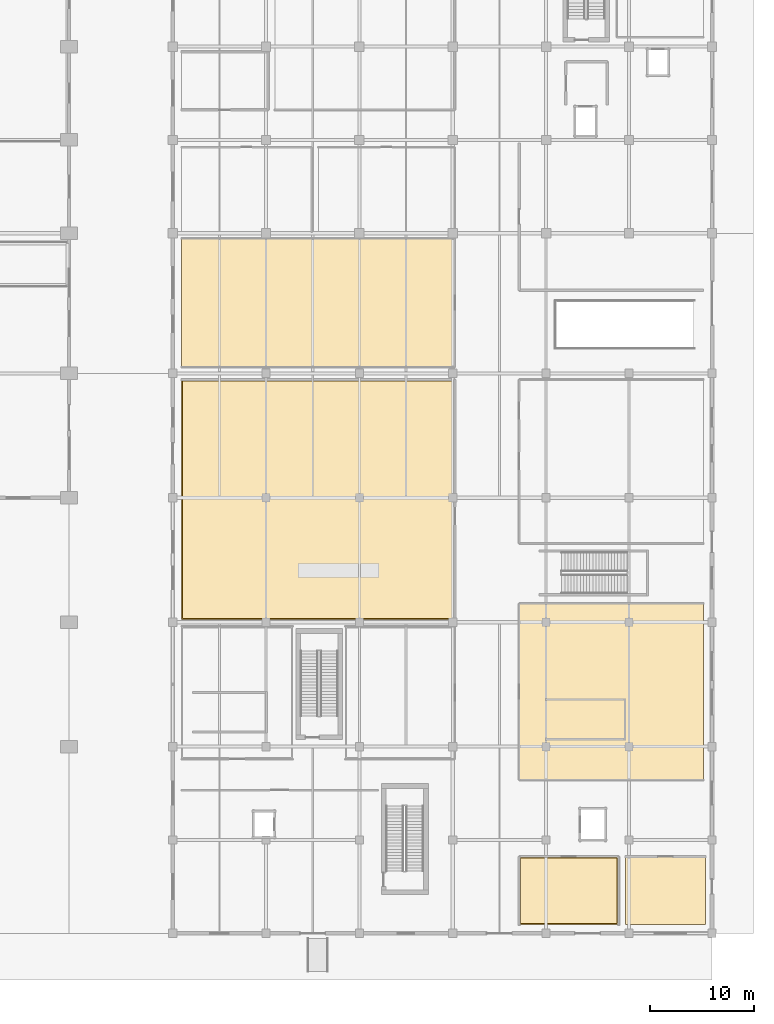
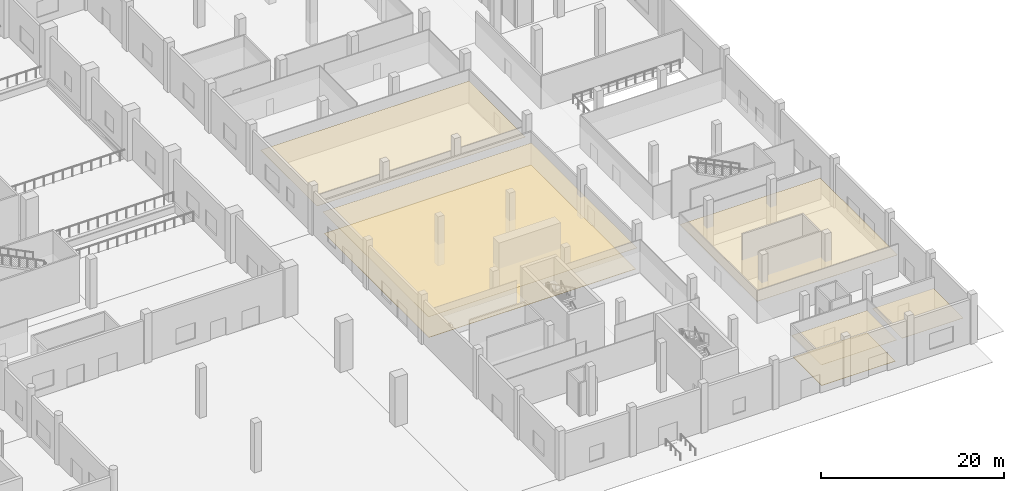
# One storey, part 58 of 65: 7 coverings.
"""IFC4 building model written with IfcOpenShell, lengths in metres."""

from ifc_helpers import new_model, si_unit, direction, frame, origin, place, context, subcontext, project, spatial, polyline, outline, extrude, material, layer, layer_set, type_object, element, save


model = new_model("IFC4")

# Units and contexts
model_context = context("Model", 3, precision=1e-05, world=origin(), true_north=direction((0.0, 1.0)))
body_context = subcontext(model_context, "Body", "Model", "MODEL_VIEW")
ifc_project = project(units=[si_unit("LENGTHUNIT", "METRE"), si_unit("AREAUNIT", "SQUARE_METRE"), si_unit("VOLUMEUNIT", "CUBIC_METRE"), si_unit("PLANEANGLEUNIT", "RADIAN"), si_unit("MASSUNIT", "GRAM", prefix="KILO")], contexts=[model_context])

# Site, building, storey
site_placement = place(None, origin())
site = spatial("IfcSite", under=ifc_project, at=site_placement, CompositionType="ELEMENT")
building_placement = place(site_placement, origin())
building = spatial("IfcBuilding", under=site, at=building_placement, Name="Chuanluo Vaults Station", CompositionType="ELEMENT")
storey_placement = place(building_placement, origin())
storey = spatial("IfcBuildingStorey", under=building, at=storey_placement, Name="L00", CompositionType="ELEMENT", Elevation=0.0)

# Coverings
ifc_material_1 = material(Name="Acoustic mineral-fibre tile")
ifc_layer_1 = layer(ifc_material_1, 0.02490234375)
ifc_layer_set_1 = layer_set([ifc_layer_1], Name="Acoustic mineral-fibre tile")
covering_type_1 = type_object("IfcCoveringType", Name="COV-CEIL-TILE", PredefinedType="CEILING", material=ifc_layer_set_1)
covering_1_placement = place(storey_placement, frame((0.0, 0.0, 2.85009765625)))
element("IfcCovering", 1, at=covering_1_placement, inside=storey, type_object=covering_type_1, Name="L00-16 suspended acoustic ceiling", PredefinedType="CEILING", context=body_context, shape_type="SweptSolid", body=[
    extrude(outline(polyline([(136.840087890625, 30.239990234375), (163.159912109375, 30.239990234375), (163.159912109375, 53.360107421875), (136.840087890625, 53.360107421875), (136.840087890625, 30.239990234375)])), origin(), (0.0, 0.0, 1.0), 0.02490234375),
])
covering_2_placement = place(storey_placement, frame((0.0, 0.0, 2.85009765625)))
element("IfcCovering", 2, at=covering_2_placement, inside=storey, type_object=covering_type_1, Name="L00-16B suspended acoustic ceiling", PredefinedType="CEILING", context=body_context, shape_type="SweptSolid", body=[
    extrude(outline(polyline([(169.43994140625, 0.840087890625), (178.9599609375, 0.840087890625), (178.9599609375, 7.360107421875), (169.43994140625, 7.360107421875), (169.43994140625, 0.840087890625)])), origin(), (0.0, 0.0, 1.0), 0.02490234375),
])
covering_3_placement = place(storey_placement, frame((0.0, 0.0, 2.85009765625)))
element("IfcCovering", 3, at=covering_3_placement, inside=storey, type_object=covering_type_1, Name="L00-17 suspended acoustic ceiling", PredefinedType="CEILING", context=body_context, shape_type="SweptSolid", body=[
    extrude(outline(polyline([(179.639892578125, 0.840087890625), (187.360107421875, 0.840087890625), (187.360107421875, 7.360107421875), (179.639892578125, 7.360107421875), (179.639892578125, 0.840087890625)])), origin(), (0.0, 0.0, 1.0), 0.02490234375),
])
covering_4_placement = place(storey_placement, frame((0.0, 0.0, 2.85009765625)))
element("IfcCovering", 4, at=covering_4_placement, inside=storey, type_object=covering_type_1, Name="L00-19 suspended acoustic ceiling", PredefinedType="CEILING", context=body_context, shape_type="SweptSolid", body=[
    extrude(outline(polyline([(169.43994140625, 14.840087890625), (187.159912109375, 14.840087890625), (187.159912109375, 31.760009765625), (169.43994140625, 31.760009765625), (169.43994140625, 14.840087890625)])), origin(), (0.0, 0.0, 1.0), 0.02490234375),
])
covering_5_placement = place(storey_placement, frame((0.0, 0.0, 2.85009765625)))
element("IfcCovering", 5, at=covering_5_placement, inside=storey, type_object=covering_type_1, Name="L00-21 suspended acoustic ceiling", PredefinedType="CEILING", context=body_context, shape_type="SweptSolid", body=[
    extrude(outline(polyline([(136.840087890625, 54.639892578125), (163.159912109375, 54.639892578125), (163.159912109375, 66.9599609375), (136.840087890625, 66.9599609375), (136.840087890625, 54.639892578125)])), origin(), (0.0, 0.0, 1.0), 0.02490234375),
])
ifc_material_2 = material(Name="Granite stone flooring", Category="masonry")
ifc_layer_2 = layer(ifc_material_2, 0.034912109375)
ifc_layer_set_2 = layer_set([ifc_layer_2], Name="Granite stone flooring")
covering_type_2 = type_object("IfcCoveringType", Name="COV-FLOR-GRAN", PredefinedType="FLOORING", material=ifc_layer_set_2)
covering_6_placement = place(storey_placement, origin())
element("IfcCovering", 6, at=covering_6_placement, inside=storey, type_object=covering_type_2, Name="L00-16 granite floor finish", PredefinedType="FLOORING", context=body_context, shape_type="SweptSolid", body=[
    extrude(outline(polyline([(136.949951171875, 30.35009765625), (163.050048828125, 30.35009765625), (163.050048828125, 53.25), (136.949951171875, 53.25), (136.949951171875, 30.35009765625)])), origin(), (0.0, 0.0, 1.0), 0.034912109375),
])
covering_7_placement = place(storey_placement, origin())
element("IfcCovering", 7, at=covering_7_placement, inside=storey, type_object=covering_type_2, Name="L00-16B granite floor finish", PredefinedType="FLOORING", context=body_context, shape_type="SweptSolid", body=[
    extrude(outline(polyline([(169.550048828125, 0.949951171875), (178.85009765625, 0.949951171875), (178.85009765625, 7.25), (169.550048828125, 7.25), (169.550048828125, 0.949951171875)])), origin(), (0.0, 0.0, 1.0), 0.034912109375),
])

save(model, "model.ifc")
